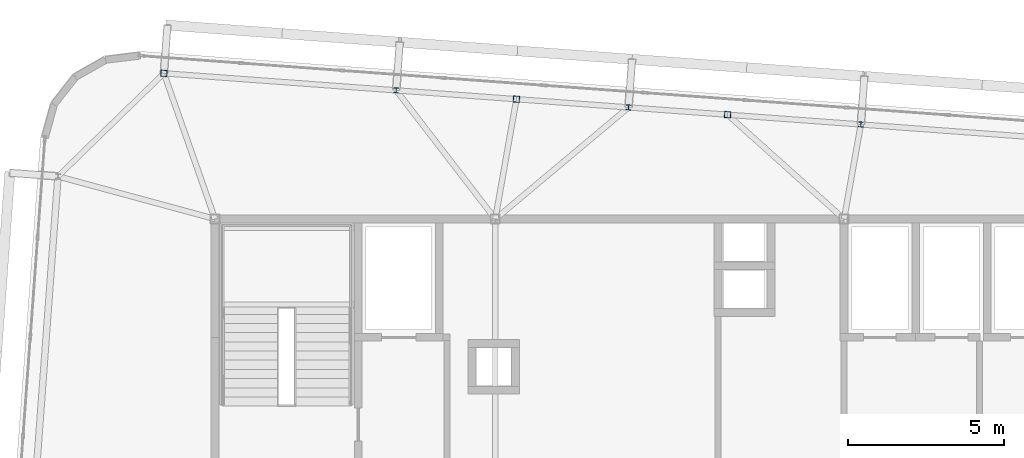
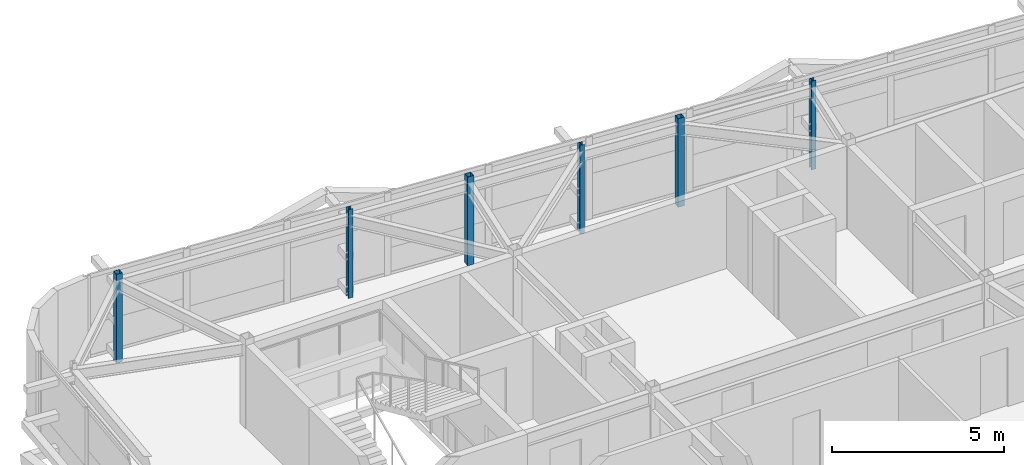
# One storey, part 7 of 42: 6 columns.
"""IFC4 building model written with IfcOpenShell, lengths in metres."""

from ifc_helpers import new_model, si_unit, direction, frame, origin, origin_2d, place, context, subcontext, project, spatial, hollow_rectangle, i_section, extrude, source, transform, mapped, material, material_profile, profile_set, type_object, element, save


model = new_model("IFC4")

# Units and contexts
model_context = context("Model", 3, precision=1e-05, world=origin(), true_north=direction((0.0, 1.0)))
body_context = subcontext(model_context, "Body", "Model", "MODEL_VIEW")
ifc_project = project(units=[si_unit("LENGTHUNIT", "METRE"), si_unit("AREAUNIT", "SQUARE_METRE"), si_unit("VOLUMEUNIT", "CUBIC_METRE"), si_unit("PLANEANGLEUNIT", "RADIAN"), si_unit("MASSUNIT", "GRAM", prefix="KILO")], contexts=[model_context])

# Site, building, storey
site_placement = place(None, origin())
site = spatial("IfcSite", under=ifc_project, at=site_placement, CompositionType="ELEMENT")
building_placement = place(site_placement, origin())
building = spatial("IfcBuilding", under=site, at=building_placement, Name="Taldren Reach Tower", CompositionType="ELEMENT")
storey_placement = place(building_placement, frame((0.0, 0.0, 224.0)))
storey = spatial("IfcBuildingStorey", under=building, at=storey_placement, Name="L68", CompositionType="ELEMENT", Elevation=224.0)

# Columns
ifc_material_1 = material(Name="Steel Gr 350 (C350L0)", Category="steel")
ifc_material_profile_1 = material_profile(ifc_material_1, hollow_rectangle(XDim=0.199951171875, YDim=0.199951171875, WallThickness=0.009033203125, at=origin_2d()), Name="200x200x9.0SHS")
ifc_profile_set_1 = profile_set([ifc_material_profile_1], Name="Steel Gr 350 (C350L0)")
column_type_1 = type_object("IfcColumnType", Name="COL-SHS200", PredefinedType="COLUMN", material=ifc_profile_set_1)
shared_shape_1 = source(origin(), body_context, "Body", "SweptSolid", [
    extrude(hollow_rectangle(XDim=0.199951171875, YDim=0.199951171875, WallThickness=0.009033203125, at=origin_2d()), origin(), (0.0, 0.0, 1.0), 3.14990234375),
])
for number, where, z_axis, x_axis, name in (
    (1, (17.35986328125, 36.678955078125, 0.0), (0.0, 0.0, 1.0), (0.997314477224, -0.073238197128, 0.0), "Block B5 perimeter column N1 L68"),
    (2, (28.67919921875, 35.84765625, 0.0), (0.0, 0.0, 1.0), (0.997314477224, -0.073238197128, 0.0), "Block B5 perimeter column PJN1 L68"),
    (3, (35.4609375, 35.349609375, 0.0), (0.0, 0.0, 1.0), (0.997314477224, -0.073238197128, 0.0), "Block B5 perimeter column PJN2 L68"),
):
    element("IfcColumn", number, at=place(storey_placement, frame(where, z_axis=z_axis, x_axis=x_axis)), inside=storey, type_object=column_type_1, Name=name, PredefinedType="COLUMN", context=body_context, shape_type="MappedRepresentation", body=[
        mapped(shared_shape_1, transform((0.0, 0.0, 0.0), scale=1.0)),
    ])
ifc_material_2 = material(Name="Steel Gr 350 (350PLUS)", Category="steel")
ifc_material_profile_2 = material_profile(ifc_material_2, i_section(OverallWidth=0.154052734375, OverallDepth=0.162109375, WebThickness=0.008056640625, FlangeThickness=0.011474609375, at=origin_2d()), Name="150UC37.2")
ifc_profile_set_2 = profile_set([ifc_material_profile_2], Name="Steel Gr 350 (350PLUS)")
column_type_2 = type_object("IfcColumnType", Name="COL-UC150", PredefinedType="COLUMN", material=ifc_profile_set_2)
shared_shape_2 = source(origin(), body_context, "Body", "SweptSolid", [
    extrude(i_section(OverallWidth=0.154052734375, OverallDepth=0.162109375, WebThickness=0.008056640625, FlangeThickness=0.011474609375, at=origin_2d()), origin(), (0.0, 0.0, 1.0), 3.14990234375),
])
for number, where, z_axis, x_axis, name in (
    (4, (24.819580078125, 36.131103515625, 0.0), (0.0, 0.0, 1.0), (0.997314477224, -0.073238197128, 0.0), "Block B5 perimeter column N2 L68"),
    (5, (32.279541015625, 35.583251953125, 0.0), (0.0, 0.0, 1.0), (0.997314477224, -0.073238197128, 0.0), "Block B5 perimeter column N3 L68"),
    (6, (39.739501953125, 35.035400390625, 0.0), (0.0, 0.0, 1.0), (0.997314477224, -0.073238197128, 0.0), "Block B5 perimeter column N4 L68"),
):
    element("IfcColumn", number, at=place(storey_placement, frame(where, z_axis=z_axis, x_axis=x_axis)), inside=storey, type_object=column_type_2, Name=name, PredefinedType="COLUMN", context=body_context, shape_type="MappedRepresentation", body=[
        mapped(shared_shape_2, transform((0.0, 0.0, 0.0), scale=1.0)),
    ])

save(model, "model.ifc")
